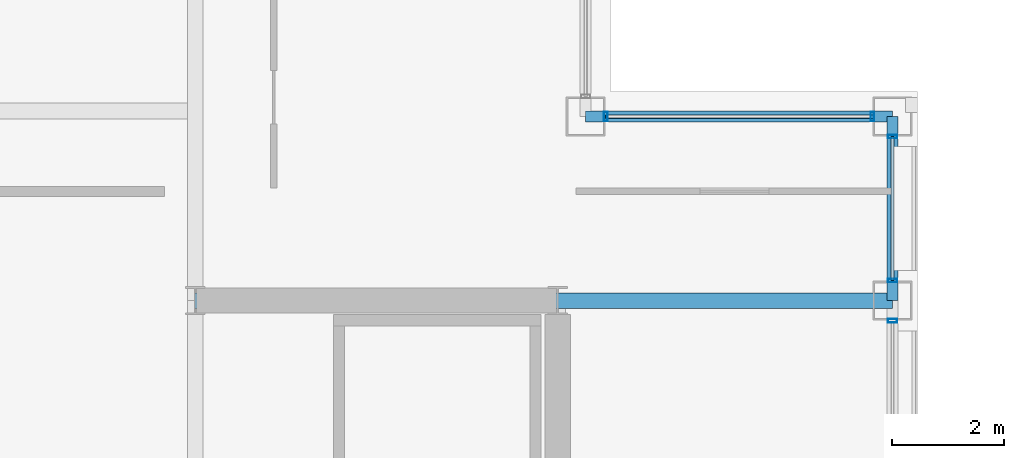
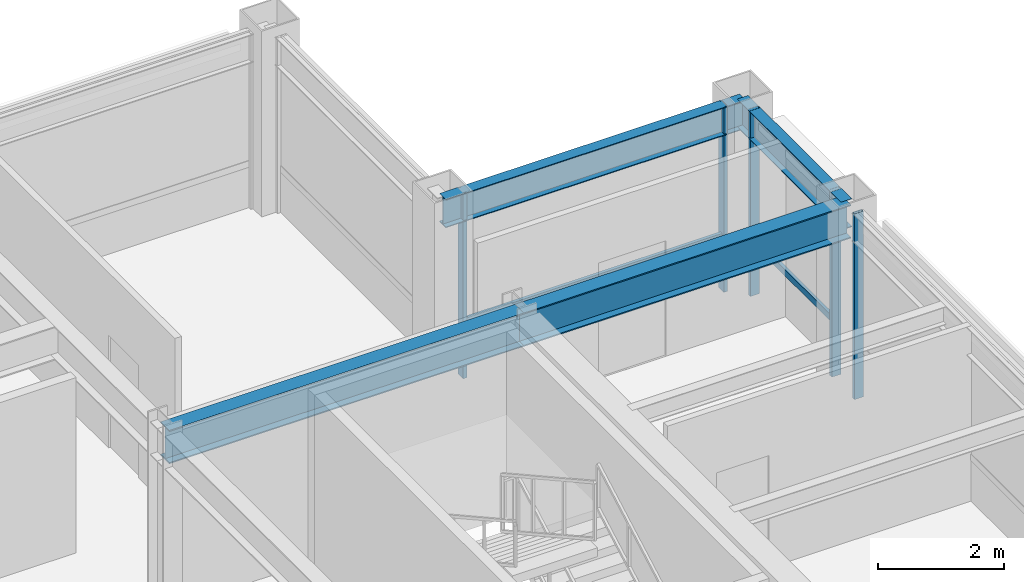
# One storey, part 17 of 26: 7 members, 4 beams, 3 elements without a shape of their own.
"""IFC4 building model written with IfcOpenShell, lengths in metres."""

from ifc_helpers import new_model, si_unit, direction, frame, origin, origin_2d, place, context, subcontext, project, spatial, hollow_rectangle, i_section, extrude, material, layer, layer_set, material_profile, profile_set, type_object, element, aggregate, save


model = new_model("IFC4")

# Units and contexts
model_context = context("Model", 3, precision=1e-05, world=origin(), true_north=direction((0.0, 1.0)))
body_context = subcontext(model_context, "Body", "Model", "MODEL_VIEW")
ifc_project = project(units=[si_unit("LENGTHUNIT", "METRE"), si_unit("AREAUNIT", "SQUARE_METRE"), si_unit("VOLUMEUNIT", "CUBIC_METRE"), si_unit("PLANEANGLEUNIT", "RADIAN"), si_unit("MASSUNIT", "GRAM", prefix="KILO")], contexts=[model_context])

# Site, building, storey
site_placement = place(None, origin())
site = spatial("IfcSite", under=ifc_project, at=site_placement, CompositionType="ELEMENT")
building_placement = place(site_placement, origin())
building = spatial("IfcBuilding", under=site, at=building_placement, Name="Brelmoor Portico Tower", CompositionType="ELEMENT")
storey_placement = place(building_placement, frame((0.0, 0.0, 205.5)))
storey = spatial("IfcBuildingStorey", under=building, at=storey_placement, Name="L54", CompositionType="ELEMENT", Elevation=205.5)

# Beams
ifc_material_1 = material(Name="Steel Q355B", Category="steel")
ifc_material_profile_1 = material_profile(ifc_material_1, i_section(OverallWidth=0.280029296875, OverallDepth=0.64990234375, WebThickness=0.012939453125, FlangeThickness=0.02197265625, at=origin_2d()), Name="HN 650x280x13x22")
ifc_profile_set_1 = profile_set([ifc_material_profile_1], Name="Steel Q355B")
beam_type_1 = type_object("IfcBeamType", Name="BM-PG-650", PredefinedType="BEAM", material=ifc_profile_set_1)
beam_1_placement = place(storey_placement, frame((8.050048828125, 9.75, 3.074951171875), z_axis=(1.0, 0.0, 0.0), x_axis=(0.0, 1.0, 0.0)))
element("IfcBeam", 1, at=beam_1_placement, inside=storey, type_object=beam_type_1, Name="L54 Primary Floor Girder PG-19", PredefinedType="BEAM", context=body_context, shape_type="SweptSolid", body=[
    extrude(i_section(OverallWidth=0.280029296875, OverallDepth=0.64990234375, WebThickness=0.012939453125, FlangeThickness=0.02197265625, at=origin_2d()), origin(), (0.0, 0.0, 1.0), 6.5),
])
beam_2_placement = place(storey_placement, frame((14.550048828125, 9.75, 3.074951171875), z_axis=(1.0, 0.0, 0.0), x_axis=(0.0, 1.0, 0.0)))
element("IfcBeam", 2, at=beam_2_placement, inside=storey, type_object=beam_type_1, Name="L54 Primary Floor Girder PG-20", PredefinedType="BEAM", context=body_context, shape_type="SweptSolid", body=[
    extrude(i_section(OverallWidth=0.280029296875, OverallDepth=0.64990234375, WebThickness=0.012939453125, FlangeThickness=0.02197265625, at=origin_2d()), origin(), (0.0, 0.0, 1.0), 6.0),
])
ifc_material_profile_2 = material_profile(ifc_material_1, i_section(OverallWidth=0.199951171875, OverallDepth=0.550048828125, WebThickness=0.010009765625, FlangeThickness=0.01611328125, at=origin_2d()), Name="HN 550x200x10x16")
ifc_profile_set_2 = profile_set([ifc_material_profile_2], Name="Steel Q355B")
beam_type_2 = type_object("IfcBeamType", Name="BM-SP-550", PredefinedType="SPANDREL", material=ifc_profile_set_2)
beam_3_placement = place(storey_placement, frame((15.050048828125, 13.050048828125, 3.125), z_axis=(1.0, 0.0, 0.0), x_axis=(0.0, 1.0, 0.0)))
element("IfcBeam", 3, at=beam_3_placement, inside=storey, type_object=beam_type_2, Name="L54 Perimeter Spandrel Beam SP-07", PredefinedType="SPANDREL", context=body_context, shape_type="SweptSolid", body=[
    extrude(i_section(OverallWidth=0.199951171875, OverallDepth=0.550048828125, WebThickness=0.010009765625, FlangeThickness=0.01611328125, at=origin_2d()), origin(), (0.0, 0.0, 1.0), 5.5),
])
beam_4_placement = place(storey_placement, frame((20.550048828125, 9.75, 3.125), z_axis=(0.0, 1.0, 0.0), x_axis=(-1.0, 0.0, 0.0)))
element("IfcBeam", 4, at=beam_4_placement, inside=storey, type_object=beam_type_2, Name="L54 Perimeter Spandrel Beam SP-20", PredefinedType="SPANDREL", context=body_context, shape_type="SweptSolid", body=[
    extrude(i_section(OverallWidth=0.199951171875, OverallDepth=0.550048828125, WebThickness=0.010009765625, FlangeThickness=0.01611328125, at=origin_2d()), origin(), (0.0, 0.0, 1.0), 3.300048828125),
])

# Curtain wall, member
ifc_material_2 = material(Name="Anodised Aluminium Alloy 6063-T6", Category="aluminium")
ifc_layer_1 = layer(ifc_material_2, 0.179931640625)
ifc_layer_set_1 = layer_set([ifc_layer_1], Name="Anodised Aluminium Alloy 6063-T6")
curtain_wall_type_1 = type_object("IfcCurtainWallType", Name="CW-TOWER-Z3", PredefinedType="NOTDEFINED", material=ifc_layer_set_1)
curtain_wall_1_placement = place(storey_placement, origin())
curtain_wall_1 = element("IfcCurtainWall", 5, at=curtain_wall_1_placement, inside=storey, type_object=curtain_wall_type_1, Name="L54 Curtain Wall CW-L54-04-2", PredefinedType="NOTDEFINED")
ifc_material_profile_3 = material_profile(ifc_material_2, hollow_rectangle(XDim=0.06494140625, YDim=0.1650390625, WallThickness=0.00390625, at=origin_2d()), Name="ALU MULLION 65x165")
ifc_profile_set_3 = profile_set([ifc_material_profile_3], Name="Anodised Aluminium Alloy 6063-T6")
member_type_1 = type_object("IfcMemberType", Name="MB-CW-MULL-165", PredefinedType="MULLION", material=ifc_profile_set_3)
member_1_placement = place(storey_placement, frame((20.550048828125, 9.389892578125, -0.199951171875), z_axis=(0.0, 0.0, 1.0), x_axis=(0.0, 1.0, 0.0)))
member_1 = element("IfcMember", 6, at=member_1_placement, type_object=member_type_1, Name="CW-L54-04-2 Mullion 02", PredefinedType="MULLION", context=body_context, shape_type="SweptSolid", body=[
    extrude(hollow_rectangle(XDim=0.06494140625, YDim=0.1650390625, WallThickness=0.00390625, at=origin_2d()), origin(), (0.0, 0.0, 1.0), 3.599853515625),
])
aggregate(curtain_wall_1, [member_1])

# Curtain wall, members
curtain_wall_2_placement = place(storey_placement, origin())
curtain_wall_2 = element("IfcCurtainWall", 7, at=curtain_wall_2_placement, inside=storey, type_object=curtain_wall_type_1, Name="L54 Curtain Wall CW-L54-04-3", PredefinedType="NOTDEFINED")
member_2_placement = place(storey_placement, frame((20.550048828125, 10.110107421875, -0.199951171875), z_axis=(0.0, 0.0, 1.0), x_axis=(0.0, 1.0, 0.0)))
member_2 = element("IfcMember", 8, at=member_2_placement, type_object=member_type_1, Name="CW-L54-04-3 Mullion 00", PredefinedType="MULLION", context=body_context, shape_type="SweptSolid", body=[
    extrude(hollow_rectangle(XDim=0.06494140625, YDim=0.1650390625, WallThickness=0.00390625, at=origin_2d()), origin(), (0.0, 0.0, 1.0), 3.599853515625),
])
member_3_placement = place(storey_placement, frame((20.550048828125, 12.68994140625, -0.199951171875), z_axis=(0.0, 0.0, 1.0), x_axis=(0.0, 1.0, 0.0)))
member_3 = element("IfcMember", 9, at=member_3_placement, type_object=member_type_1, Name="CW-L54-04-3 Mullion 01", PredefinedType="MULLION", context=body_context, shape_type="SweptSolid", body=[
    extrude(hollow_rectangle(XDim=0.06494140625, YDim=0.1650390625, WallThickness=0.00390625, at=origin_2d()), origin(), (0.0, 0.0, 1.0), 3.599853515625),
])

ifc_layer_2 = layer(ifc_material_2, 0.179931640625)
ifc_layer_set_2 = layer_set([ifc_layer_2], Name="Anodised Aluminium Alloy 6063-T6")
curtain_wall_type_2 = type_object("IfcCurtainWallType", Name="CW-NOTCH-CHAMFER", PredefinedType="NOTDEFINED", material=ifc_layer_set_2)
curtain_wall_3_placement = place(storey_placement, origin())
curtain_wall_3 = element("IfcCurtainWall", 10, at=curtain_wall_3_placement, inside=storey, type_object=curtain_wall_type_2, Name="L54 Curtain Wall CWN-L54-NEH", PredefinedType="NOTDEFINED")
member_4_placement = place(storey_placement, frame((15.409912109375, 13.050048828125, -0.199951171875), z_axis=(0.0, 0.0, 1.0), x_axis=(1.0, 0.0, 0.0)))
member_4 = element("IfcMember", 11, at=member_4_placement, type_object=member_type_1, Name="CWN-L54-NEH Mullion 00", PredefinedType="MULLION", context=body_context, shape_type="SweptSolid", body=[
    extrude(hollow_rectangle(XDim=0.06494140625, YDim=0.1650390625, WallThickness=0.00390625, at=origin_2d()), origin(), (0.0, 0.0, 1.0), 3.599853515625),
])
member_5_placement = place(storey_placement, frame((20.18994140625, 13.050048828125, -0.199951171875), z_axis=(0.0, 0.0, 1.0), x_axis=(1.0, 0.0, 0.0)))
member_5 = element("IfcMember", 12, at=member_5_placement, type_object=member_type_1, Name="CWN-L54-NEH Mullion 01", PredefinedType="MULLION", context=body_context, shape_type="SweptSolid", body=[
    extrude(hollow_rectangle(XDim=0.06494140625, YDim=0.1650390625, WallThickness=0.00390625, at=origin_2d()), origin(), (0.0, 0.0, 1.0), 3.599853515625),
])

# Member
ifc_material_profile_4 = material_profile(ifc_material_2, hollow_rectangle(XDim=0.06005859375, YDim=0.125, WallThickness=0.00341796875, at=origin_2d()), Name="ALU TRANSOM 60x125")
ifc_profile_set_4 = profile_set([ifc_material_profile_4], Name="Anodised Aluminium Alloy 6063-T6")
member_type_2 = type_object("IfcMemberType", Name="MB-CW-TRAN-125", PredefinedType="USERDEFINED", material=ifc_profile_set_4)
member_6_placement = place(storey_placement, frame((20.550048828125, 10.110107421875, 0.85009765625), z_axis=(0.0, 1.0, 0.0), x_axis=(-1.0, 0.0, 0.0)))
member_6 = element("IfcMember", 13, at=member_6_placement, type_object=member_type_2, Name="CW-L54-04-3 Transom 1-00", ObjectType="TRANSOM", PredefinedType="USERDEFINED", context=body_context, shape_type="SweptSolid", body=[
    extrude(hollow_rectangle(XDim=0.06005859375, YDim=0.125, WallThickness=0.00341796875, at=origin_2d()), origin(), (0.0, 0.0, 1.0), 2.579833984375),
])

aggregate(curtain_wall_2, [member_2, member_3, member_6])

member_7_placement = place(storey_placement, frame((15.409912109375, 13.050048828125, 0.85009765625), z_axis=(1.0, 0.0, 0.0), x_axis=(0.0, 1.0, 0.0)))
member_7 = element("IfcMember", 14, at=member_7_placement, type_object=member_type_2, Name="CWN-L54-NEH Transom 1-00", ObjectType="TRANSOM", PredefinedType="USERDEFINED", context=body_context, shape_type="SweptSolid", body=[
    extrude(hollow_rectangle(XDim=0.06005859375, YDim=0.125, WallThickness=0.00341796875, at=origin_2d()), origin(), (0.0, 0.0, 1.0), 4.780029296875),
])

aggregate(curtain_wall_3, [member_4, member_5, member_7])

save(model, "model.ifc")
